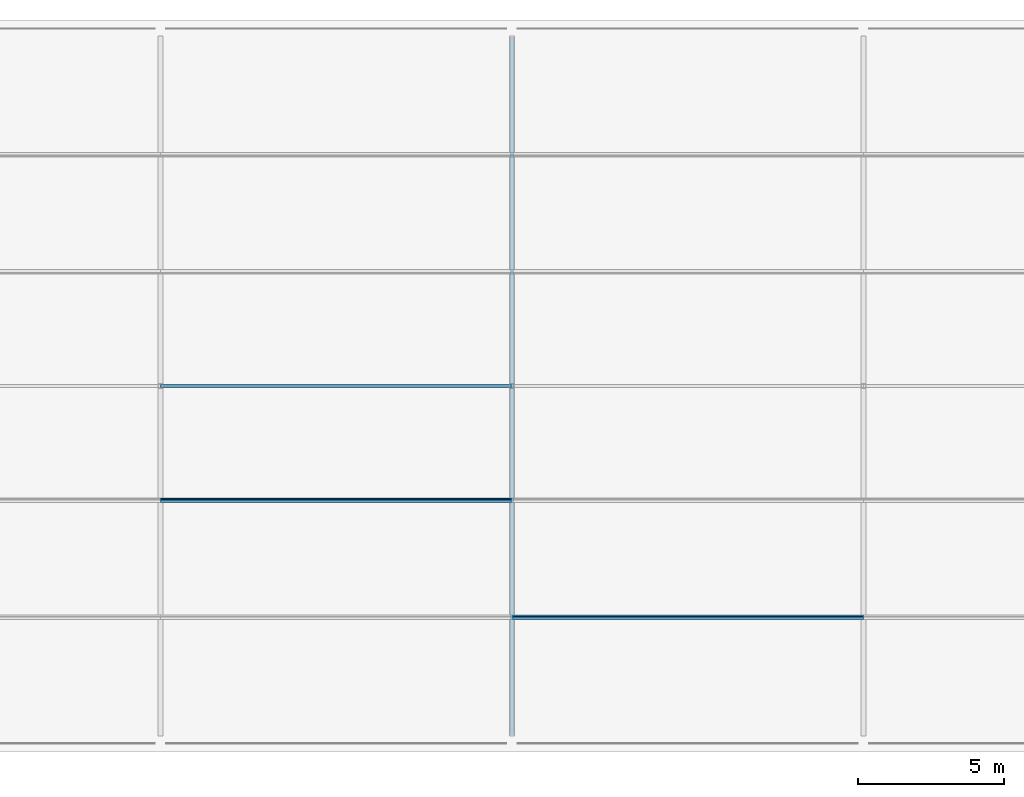
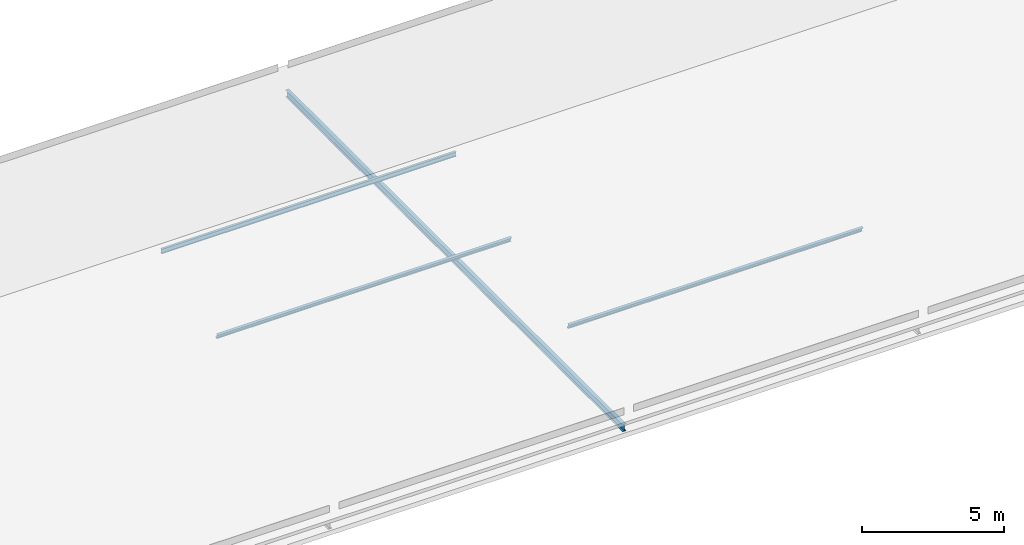
# One storey, part 5 of 12: 4 members.
"""IFC4 building model written with IfcOpenShell, lengths in metres."""

from ifc_helpers import new_model, si_unit, direction, frame, origin, origin_2d, place, context, subcontext, project, spatial, i_section, extrude, material, material_profile, profile_set, type_object, element, save


model = new_model("IFC4")

# Units and contexts
model_context = context("Model", 3, precision=1e-05, world=origin(), true_north=direction((0.0, 1.0)))
body_context = subcontext(model_context, "Body", "Model", "MODEL_VIEW")
ifc_project = project(units=[si_unit("LENGTHUNIT", "METRE"), si_unit("AREAUNIT", "SQUARE_METRE"), si_unit("VOLUMEUNIT", "CUBIC_METRE"), si_unit("PLANEANGLEUNIT", "RADIAN"), si_unit("MASSUNIT", "GRAM", prefix="KILO")], contexts=[model_context])

# Site, building, storey
site_placement = place(None, origin())
site = spatial("IfcSite", under=ifc_project, at=site_placement, CompositionType="ELEMENT")
building_placement = place(site_placement, origin())
building = spatial("IfcBuilding", under=site, at=building_placement, Name="Lilac Gate Convention Centre", CompositionType="ELEMENT")
storey_placement = place(building_placement, frame((0.0, 0.0, 71.39990234375)))
storey = spatial("IfcBuildingStorey", under=building, at=storey_placement, Name="Roof", CompositionType="ELEMENT", Elevation=71.39990234375)

# Members
ifc_material = material(Name="Steel Q355B", Category="steel")
ifc_material_profile_1 = material_profile(ifc_material, i_section(OverallWidth=0.10009765625, OverallDepth=0.199951171875, WebThickness=0.005615234375, FlangeThickness=0.008056640625, FilletRadius=0.008056640625, at=origin_2d()), Name="HN200x100x5.5x8")
ifc_profile_set_1 = profile_set([ifc_material_profile_1], Name="Steel Q355B")
member_type_1 = type_object("IfcMemberType", Name="Crown purlin HN200x100x5.5x8", PredefinedType="PURLIN", material=ifc_profile_set_1)
for number, where, z_axis, x_axis, name in (
    (1, (66.0, 226.10009765625, 2.1005859375), (1.0, 0.0, 0.0), (0.0, 0.947883747493, 0.318616385704), "CU1 crown purlin 1 bay 3"),
    (2, (54.0, 230.10009765625, 3.4453125), (1.0, 0.0, 0.0), (0.0, 0.947883747493, 0.318616385704), "CU1 crown purlin 2 bay 2"),
    (3, (54.0, 234.0, 4.75048828125), (1.0, 0.0, 0.0), (0.0, 1.0, 0.0), "CU1 crown purlin 3 bay 2"),
):
    element("IfcMember", number, at=place(storey_placement, frame(where, z_axis=z_axis, x_axis=x_axis)), inside=storey, type_object=member_type_1, Name=name, PredefinedType="PURLIN", context=body_context, shape_type="SweptSolid", body=[
        extrude(i_section(OverallWidth=0.10009765625, OverallDepth=0.199951171875, WebThickness=0.005615234375, FlangeThickness=0.008056640625, FilletRadius=0.008056640625, at=origin_2d()), origin(), (0.0, 0.0, 1.0), 12.0),
    ])
ifc_material_profile_2 = material_profile(ifc_material, i_section(OverallWidth=0.14990234375, OverallDepth=0.300048828125, WebThickness=0.006591796875, FlangeThickness=0.009033203125, FilletRadius=0.012939453125, at=origin_2d()), Name="HN300x150x6.5x9")
ifc_profile_set_2 = profile_set([ifc_material_profile_2], Name="Steel Q355B")
member_type_2 = type_object("IfcMemberType", Name="Crown tie HN300x150x6.5x9", PredefinedType="STRUT", material=ifc_profile_set_2)
member_placement = place(storey_placement, frame((66.0, 222.10009765625, 0.150146484375), z_axis=(0.0, 1.0, 0.0), x_axis=(-1.0, 0.0, 0.0)))
element("IfcMember", 4, at=member_placement, inside=storey, type_object=member_type_2, Name="CT1 crown frame 3 tie", PredefinedType="STRUT", context=body_context, shape_type="SweptSolid", body=[
    extrude(i_section(OverallWidth=0.14990234375, OverallDepth=0.300048828125, WebThickness=0.006591796875, FlangeThickness=0.009033203125, FilletRadius=0.012939453125, at=origin_2d()), origin(), (0.0, 0.0, 1.0), 23.7998046875),
])

save(model, "model.ifc")
